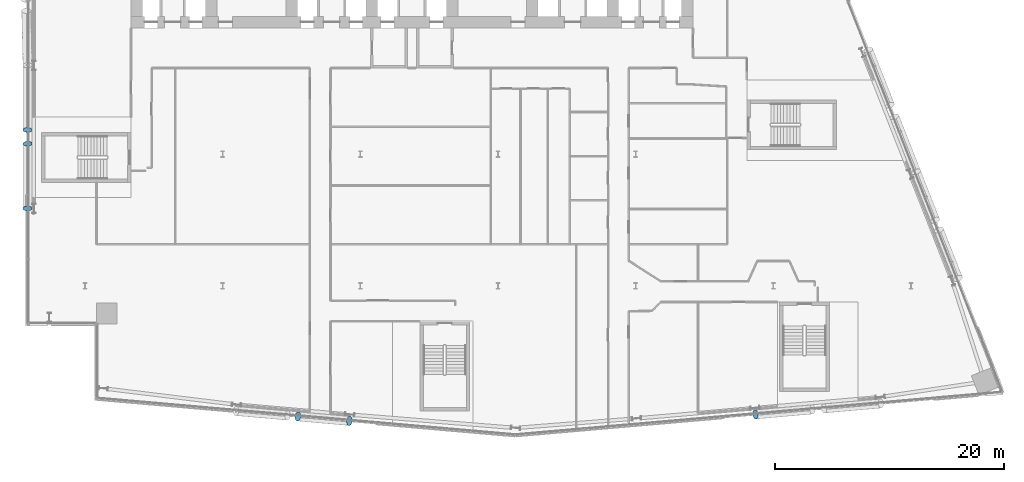
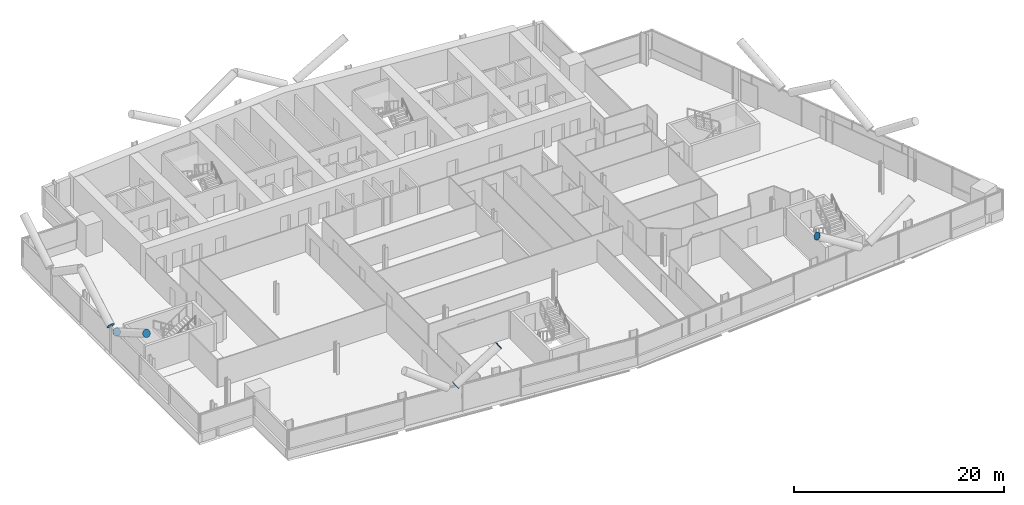
# One storey, part 21 of 27: 6 discrete accessories.
"""IFC4 building model written with IfcOpenShell, lengths in metres."""

from ifc_helpers import new_model, si_unit, direction, frame, origin, origin_2d, place, context, subcontext, project, spatial, circle, extrude, material, material_profile, profile_set, type_object, element, save


model = new_model("IFC4")

# Units and contexts
model_context = context("Model", 3, precision=1e-05, world=origin(), true_north=direction((0.0, 1.0)))
body_context = subcontext(model_context, "Body", "Model", "MODEL_VIEW")
ifc_project = project(units=[si_unit("LENGTHUNIT", "METRE"), si_unit("AREAUNIT", "SQUARE_METRE"), si_unit("VOLUMEUNIT", "CUBIC_METRE"), si_unit("PLANEANGLEUNIT", "RADIAN"), si_unit("MASSUNIT", "GRAM", prefix="KILO")], contexts=[model_context])

# Site, building, storey
site_placement = place(None, origin())
site = spatial("IfcSite", under=ifc_project, at=site_placement, CompositionType="ELEMENT")
building_placement = place(site_placement, origin())
building = spatial("IfcBuilding", under=site, at=building_placement, Name="Wharfspan Tower", CompositionType="ELEMENT")
storey_placement = place(building_placement, frame((0.0, 0.0, 118.300049)))
storey = spatial("IfcBuildingStorey", under=building, at=storey_placement, Name="L27", CompositionType="ELEMENT", Elevation=118.300049)

# Discrete accessories
ifc_material = material(Name="Steel S460NH", Category="steel")
ifc_material_profile = material_profile(ifc_material, circle(Radius=0.406494, at=origin_2d()))
ifc_profile_set = profile_set([ifc_material_profile], Name="Steel S460NH")
discrete_accessory_type = type_object("IfcDiscreteAccessoryType", Name="End plate CHS 813x40", PredefinedType="BRACKET", material=ifc_profile_set)
for number, where, z_axis, x_axis, name in (
    (1, (30.543457, 0.125244, 3.220947), (0.806559, -0.073324, 0.586588), (0.090536, 0.99589, 0.0), "End plate CHS 813x40"),
    (2, (35.040771, -0.268311, 6.5), (0.806559, -0.073324, 0.586588), (0.090536, 0.99589, 0.0), "End plate CHS 813x40"),
    (3, (70.452393, 0.299805, 6.5), (-0.837276, -0.073877, 0.541767), (0.087893, -0.996132, -1e-06), "End plate CHS 813x40"),
    (4, (6.985107, 23.902588, 3.244873), (0.0, -0.857493, 0.514496), (1.0, 0.0, 0.0), "End plate CHS 813x40"),
):
    element("IfcDiscreteAccessory", number, at=place(storey_placement, frame(where, z_axis=z_axis, x_axis=x_axis)), inside=storey, type_object=discrete_accessory_type, Name=name, PredefinedType="BRACKET", context=body_context, shape_type="SweptSolid", body=[
        extrude(circle(Radius=0.406494, at=origin_2d()), origin(), (0.0, 0.0, 1.0), 0.01001),
    ])
discrete_accessory_1_placement = place(storey_placement, frame((6.985107, 18.266602, 6.5), z_axis=(0.0, -0.868243, 0.496139), x_axis=(1.0, 0.0, 0.0)))
element("IfcDiscreteAccessory", 5, at=discrete_accessory_1_placement, inside=storey, type_object=discrete_accessory_type, Name="End plate CHS 813x40", PredefinedType="BRACKET", context=body_context, shape_type="SweptSolid", body=[
    extrude(circle(Radius=0.406494, at=origin_2d()), origin(), (0.0, 0.0, 1.0), 0.009766),
])
discrete_accessory_2_placement = place(storey_placement, frame((6.985107, 25.097412, 3.244873), z_axis=(0.0, 0.857493, 0.514496), x_axis=(-1.0, 0.0, 0.0)))
element("IfcDiscreteAccessory", 6, at=discrete_accessory_2_placement, inside=storey, type_object=discrete_accessory_type, Name="End plate CHS 813x40", PredefinedType="BRACKET", context=body_context, shape_type="SweptSolid", body=[
    extrude(circle(Radius=0.406494, at=origin_2d()), origin(), (0.0, 0.0, 1.0), 0.01001),
])

save(model, "model.ifc")
